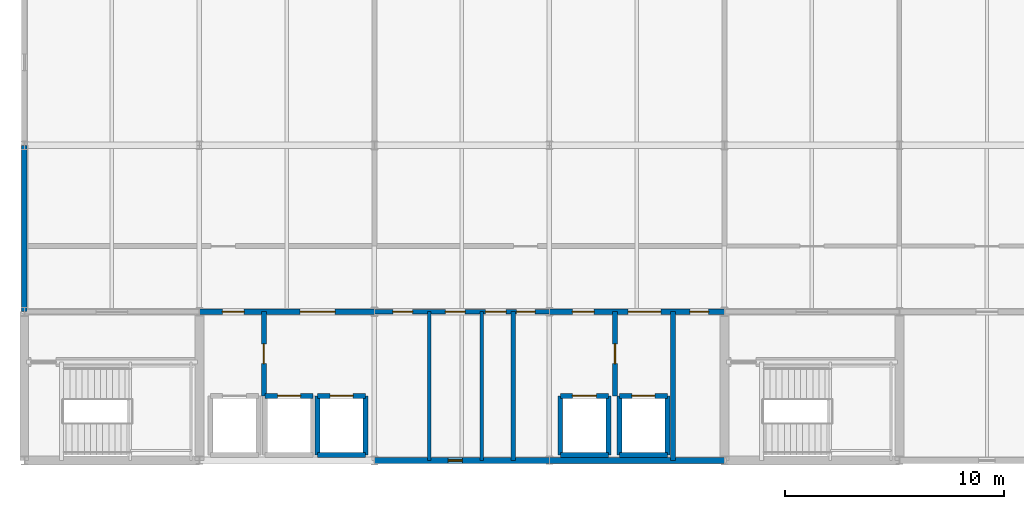
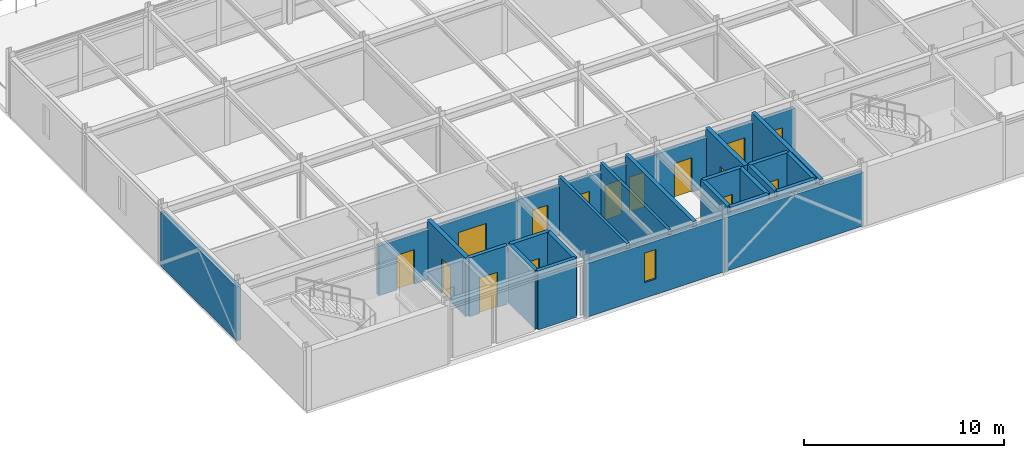
# One storey, part 9 of 12: 25 walls, 15 doors, 1 window, 16 openings.
"""IFC4 building model written with IfcOpenShell, lengths in metres."""

from ifc_helpers import new_model, si_unit, direction, frame, frame_2d, origin, place, context, subcontext, project, spatial, rectangle, extrude, material, layer, layer_set, type_object, element, fill, save


model = new_model("IFC4")

# Units and contexts
model_context = context("Model", 3, precision=1e-05, world=origin(), true_north=direction((0.0, 1.0)))
body_context = subcontext(model_context, "Body", "Model", "MODEL_VIEW")
ifc_project = project(units=[si_unit("LENGTHUNIT", "METRE"), si_unit("AREAUNIT", "SQUARE_METRE"), si_unit("VOLUMEUNIT", "CUBIC_METRE"), si_unit("PLANEANGLEUNIT", "RADIAN"), si_unit("MASSUNIT", "GRAM", prefix="KILO")], contexts=[model_context])

# Site, building, storey
site_placement = place(None, origin())
site = spatial("IfcSite", under=ifc_project, at=site_placement, CompositionType="ELEMENT")
building_placement = place(site_placement, origin())
building = spatial("IfcBuilding", under=site, at=building_placement, Name="Shalkamar Park Central Library", CompositionType="ELEMENT")
storey_placement = place(building_placement, frame((0.0, 0.0, 56.10009765625)))
storey = spatial("IfcBuildingStorey", under=building, at=storey_placement, Name="L14", CompositionType="ELEMENT", Elevation=56.10009765625)

# Wall, opening, window
ifc_material_1 = material(Name="Terracotta insulated masonry", Category="masonry")
ifc_layer_1 = layer(ifc_material_1, 0.260009765625)
ifc_layer_set_1 = layer_set([ifc_layer_1], Name="ArchiveInsulatedFacadeWall_260")
wall_type_1 = type_object("IfcWallType", Name="Archive Insulated Facade Wall 260", PredefinedType="SOLIDWALL", material=ifc_layer_set_1)
wall_1_placement = place(storey_placement, frame((181.006103515625, 248.39990234375, 0.0), z_axis=(0.0, 0.0, 1.0), x_axis=(1.0, 0.0, 0.0)))
wall_1 = element("IfcWall", 1, at=wall_1_placement, inside=storey, type_object=wall_type_1, Name="Exterior Facade Wall WL-EXT-L14-247", PredefinedType="SOLIDWALL", context=body_context, shape_type="SweptSolid", body=[
    extrude(rectangle(XDim=7.98779296875, YDim=0.260009765625, at=frame_2d((3.993896484375, 0.0))), origin(), (0.0, 0.0, 1.0), 3.267822265625),
])
opening_1_placement = place(wall_1_placement, frame((3.368896484375, 0.0, 0.949951171875)))
opening_1 = element("IfcOpeningElement", 2, at=opening_1_placement, cuts=wall_1, Name="Opening WN-19", PredefinedType="OPENING", context=body_context, shape_type="SweptSolid", body=[
    extrude(rectangle(XDim=0.64990234375, YDim=1.800048828125, at=frame_2d((0.324951171875, 0.89990234375))), frame((0.0, 0.14501953125, 0.0), z_axis=(0.0, -1.0, 0.0), x_axis=(1.0, 0.0, 0.0)), (0.0, 0.0, 1.0), 0.289794921875),
])
ifc_material_2 = material(Name="Thermally broken aluminium and triple low-e glass", Category="glass")
window_type = type_object("IfcWindowType", Name="Archive Slit Window 650x1800", PartitioningType="SINGLE_PANEL", PredefinedType="WINDOW", material=ifc_material_2)
window_placement = place(opening_1_placement, origin())
window = element("IfcWindow", 3, at=window_placement, inside=storey, type_object=window_type, Name="Facade Window WN-L14-182", OverallHeight=1.800048828125, OverallWidth=0.64990234375, PartitioningType="SINGLE_PANEL", PredefinedType="WINDOW", context=body_context, shape_type="SweptSolid", body=[
    extrude(rectangle(XDim=0.64990234375, YDim=1.800048828125, at=frame_2d((0.324951171875, 0.89990234375))), frame((0.0, 0.030029296875, 0.0), z_axis=(0.0, -1.0, 0.0), x_axis=(1.0, 0.0, 0.0)), (0.0, 0.0, 1.0), 0.06005859375),
])
fill(opening_1, window)

# Walls
wall_2_placement = place(storey_placement, frame((189.006103515625, 248.39990234375, 0.0), z_axis=(0.0, 0.0, 1.0), x_axis=(1.0, 0.0, 0.0)))
element("IfcWall", 4, at=wall_2_placement, inside=storey, type_object=wall_type_1, Name="Exterior Facade Wall WL-EXT-L14-248", PredefinedType="SOLIDWALL", context=body_context, shape_type="SweptSolid", body=[
    extrude(rectangle(XDim=7.98779296875, YDim=0.260009765625, at=frame_2d((3.993896484375, 0.0))), origin(), (0.0, 0.0, 1.0), 3.267822265625),
])
wall_3_placement = place(storey_placement, frame((165.0, 255.2060546875, 0.0), z_axis=(0.0, 0.0, 1.0), x_axis=(0.0, 1.0, 0.0)))
element("IfcWall", 5, at=wall_3_placement, inside=storey, type_object=wall_type_1, Name="Exterior Facade Wall WL-EXT-L14-251", PredefinedType="SOLIDWALL", context=body_context, shape_type="SweptSolid", body=[
    extrude(rectangle(XDim=7.587890625, YDim=0.260009765625, at=frame_2d((3.7939453125, 0.0))), origin(), (0.0, 0.0, 1.0), 3.307861328125),
])

# Wall, opening, door
ifc_material_3 = material(Name="Reinforced fire-compartment masonry wall", Category="masonry")
ifc_layer_2 = layer(ifc_material_3, 0.239990234375)
ifc_layer_set_2 = layer_set([ifc_layer_2], Name="CompartmentWall_240")
wall_type_2 = type_object("IfcWallType", Name="Compartment Wall 240", PredefinedType="PARTITIONING", material=ifc_layer_set_2)
wall_4_placement = place(storey_placement, frame((175.949951171875, 251.35009765625, 0.0), z_axis=(0.0, 0.0, 1.0), x_axis=(0.0, 1.0, 0.0)))
wall_4 = element("IfcWall", 6, at=wall_4_placement, inside=storey, type_object=wall_type_2, Name="Interior Partition WL-INT-L14-001", PredefinedType="PARTITIONING", context=body_context, shape_type="SweptSolid", body=[
    extrude(rectangle(XDim=3.849853515625, YDim=0.239990234375, at=frame_2d((1.9248046875, 0.0))), origin(), (0.0, 0.0, 1.0), 3.579833984375),
])
opening_2_placement = place(wall_4_placement, frame((1.47509765625, 0.0, 0.0)))
opening_2 = element("IfcOpeningElement", 7, at=opening_2_placement, cuts=wall_4, Name="Opening DR-L14-001", PredefinedType="OPENING", context=body_context, shape_type="SweptSolid", body=[
    extrude(rectangle(XDim=0.89990234375, YDim=2.10009765625, at=frame_2d((0.449951171875, 1.050048828125))), frame((0.0, 0.134765625, 0.0), z_axis=(0.0, -1.0, 0.0), x_axis=(1.0, 0.0, 0.0)), (0.0, 0.0, 1.0), 0.269775390625),
])
ifc_material_4 = material(Name="Steel S355", Category="steel")
door_type_1 = type_object("IfcDoorType", Name="Fire Door Single 900x2100", OperationType="NOTDEFINED", PredefinedType="DOOR", material=ifc_material_4)
door_1_placement = place(opening_2_placement, origin())
door_1 = element("IfcDoor", 8, at=door_1_placement, inside=storey, type_object=door_type_1, Name="Fire Lobby Interconnect Door", OperationType="SINGLE_SWING_LEFT", OverallHeight=2.10009765625, OverallWidth=0.89990234375, PredefinedType="DOOR", context=body_context, shape_type="SweptSolid", body=[
    extrude(rectangle(XDim=0.89990234375, YDim=2.10009765625, at=frame_2d((0.449951171875, 1.050048828125))), frame((0.0, 0.02490234375, 0.0), z_axis=(0.0, -1.0, 0.0), x_axis=(1.0, 0.0, 0.0)), (0.0, 0.0, 1.0), 0.050048828125),
])
fill(opening_2, door_1)

wall_5_placement = place(storey_placement, frame((192.0, 251.35009765625, 0.0), z_axis=(0.0, 0.0, 1.0), x_axis=(0.0, 1.0, 0.0)))
wall_5 = element("IfcWall", 9, at=wall_5_placement, inside=storey, type_object=wall_type_2, Name="Interior Partition WL-INT-L14-002", PredefinedType="PARTITIONING", context=body_context, shape_type="SweptSolid", body=[
    extrude(rectangle(XDim=3.849853515625, YDim=0.239990234375, at=frame_2d((1.9248046875, 0.0))), origin(), (0.0, 0.0, 1.0), 3.579833984375),
])
opening_3_placement = place(wall_5_placement, frame((1.47509765625, 0.0, 0.0)))
opening_3 = element("IfcOpeningElement", 10, at=opening_3_placement, cuts=wall_5, Name="Opening DR-L14-002", PredefinedType="OPENING", context=body_context, shape_type="SweptSolid", body=[
    extrude(rectangle(XDim=0.89990234375, YDim=2.10009765625, at=frame_2d((0.449951171875, 1.050048828125))), frame((0.0, 0.134765625, 0.0), z_axis=(0.0, -1.0, 0.0), x_axis=(1.0, 0.0, 0.0)), (0.0, 0.0, 1.0), 0.269775390625),
])
door_2_placement = place(opening_3_placement, frame((0.89990234375, 0.0, 0.0), z_axis=(0.0, 0.0, 1.0), x_axis=(-1.0, 0.0, 0.0)))
door_2 = element("IfcDoor", 11, at=door_2_placement, inside=storey, type_object=door_type_1, Name="Fire Lobby Interconnect Door", OperationType="SINGLE_SWING_LEFT", OverallHeight=2.10009765625, OverallWidth=0.89990234375, PredefinedType="DOOR", context=body_context, shape_type="SweptSolid", body=[
    extrude(rectangle(XDim=0.89990234375, YDim=2.10009765625, at=frame_2d((0.449951171875, 1.050048828125))), frame((0.0, 0.02490234375, 0.0), z_axis=(0.0, -1.0, 0.0), x_axis=(1.0, 0.0, 0.0)), (0.0, 0.0, 1.0), 0.050048828125),
])
fill(opening_3, door_2)

# Wall, openings, doors
wall_6_placement = place(storey_placement, frame((173.0, 255.199951171875, 0.0), z_axis=(0.0, 0.0, 1.0), x_axis=(1.0, 0.0, 0.0)))
wall_6 = element("IfcWall", 12, at=wall_6_placement, inside=storey, type_object=wall_type_2, Name="Interior Partition WL-INT-L14-007", PredefinedType="PARTITIONING", context=body_context, shape_type="SweptSolid", body=[
    extrude(rectangle(XDim=8.0, YDim=0.239990234375, at=frame_2d((4.0, 0.0))), origin(), (0.0, 0.0, 1.0), 3.02783203125),
])
opening_4_placement = place(wall_6_placement, frame((1.050048828125, 0.0, 0.0)))
opening_4 = element("IfcOpeningElement", 13, at=opening_4_placement, cuts=wall_6, Name="Opening DR-L14-003", PredefinedType="OPENING", context=body_context, shape_type="SweptSolid", body=[
    extrude(rectangle(XDim=1.0, YDim=2.10009765625, at=frame_2d((0.5, 1.050048828125))), frame((0.0, 0.134765625, 0.0), z_axis=(0.0, -1.0, 0.0), x_axis=(1.0, 0.0, 0.0)), (0.0, 0.0, 1.0), 0.269775390625),
])
opening_5_placement = place(wall_6_placement, frame((4.60009765625, 0.0, 0.0)))
opening_5 = element("IfcOpeningElement", 14, at=opening_5_placement, cuts=wall_6, Name="Opening DR-L14-004", PredefinedType="OPENING", context=body_context, shape_type="SweptSolid", body=[
    extrude(rectangle(XDim=1.60009765625, YDim=2.25, at=frame_2d((0.800048828125, 1.125))), frame((0.0, 0.134765625, 0.0), z_axis=(0.0, -1.0, 0.0), x_axis=(1.0, 0.0, 0.0)), (0.0, 0.0, 1.0), 0.269775390625),
])
door_type_2 = type_object("IfcDoorType", Name="Fire Door Single 1000x2100", OperationType="NOTDEFINED", PredefinedType="DOOR", material=ifc_material_4)
door_3_placement = place(opening_4_placement, origin())
door_3 = element("IfcDoor", 15, at=door_3_placement, inside=storey, type_object=door_type_2, Name="West Firefighting Lobby Door", OperationType="SINGLE_SWING_LEFT", OverallHeight=2.10009765625, OverallWidth=1.0, PredefinedType="DOOR", context=body_context, shape_type="SweptSolid", body=[
    extrude(rectangle(XDim=1.0, YDim=2.10009765625, at=frame_2d((0.5, 1.050048828125))), frame((0.0, 0.02490234375, 0.0), z_axis=(0.0, -1.0, 0.0), x_axis=(1.0, 0.0, 0.0)), (0.0, 0.0, 1.0), 0.050048828125),
])
fill(opening_4, door_3)
door_type_3 = type_object("IfcDoorType", Name="Interior Door Double 1600x2250", OperationType="DOUBLE_DOOR_SINGLE_SWING", PredefinedType="DOOR", material=ifc_material_4)
door_4_placement = place(opening_5_placement, frame((1.60009765625, 0.0, 0.0), z_axis=(0.0, 0.0, 1.0), x_axis=(-1.0, 0.0, 0.0)))
door_4 = element("IfcDoor", 16, at=door_4_placement, inside=storey, type_object=door_type_3, Name="West Lift Lobby Entrance", OperationType="DOUBLE_DOOR_SINGLE_SWING", OverallHeight=2.25, OverallWidth=1.60009765625, PredefinedType="DOOR", context=body_context, shape_type="SweptSolid", body=[
    extrude(rectangle(XDim=1.60009765625, YDim=2.25, at=frame_2d((0.800048828125, 1.125))), frame((0.0, 0.02490234375, 0.0), z_axis=(0.0, -1.0, 0.0), x_axis=(1.0, 0.0, 0.0)), (0.0, 0.0, 1.0), 0.050048828125),
])
fill(opening_5, door_4)

wall_7_placement = place(storey_placement, frame((189.0, 255.199951171875, 0.0), z_axis=(0.0, 0.0, 1.0), x_axis=(1.0, 0.0, 0.0)))
wall_7 = element("IfcWall", 17, at=wall_7_placement, inside=storey, type_object=wall_type_2, Name="Interior Partition WL-INT-L14-009", PredefinedType="PARTITIONING", context=body_context, shape_type="SweptSolid", body=[
    extrude(rectangle(XDim=8.0, YDim=0.239990234375, at=frame_2d((4.0, 0.0))), origin(), (0.0, 0.0, 1.0), 3.02783203125),
])
opening_6_placement = place(wall_7_placement, frame((1.050048828125, 0.0, 0.0)))
opening_6 = element("IfcOpeningElement", 18, at=opening_6_placement, cuts=wall_7, Name="Opening DR-L14-009", PredefinedType="OPENING", context=body_context, shape_type="SweptSolid", body=[
    extrude(rectangle(XDim=1.0, YDim=2.10009765625, at=frame_2d((0.5, 1.050048828125))), frame((0.0, 0.134765625, 0.0), z_axis=(0.0, -1.0, 0.0), x_axis=(1.0, 0.0, 0.0)), (0.0, 0.0, 1.0), 0.269775390625),
])
opening_7_placement = place(wall_7_placement, frame((3.60009765625, 0.0, 0.0)))
opening_7 = element("IfcOpeningElement", 19, at=opening_7_placement, cuts=wall_7, Name="Opening DR-L14-010", PredefinedType="OPENING", context=body_context, shape_type="SweptSolid", body=[
    extrude(rectangle(XDim=1.5, YDim=2.25, at=frame_2d((0.75, 1.125))), frame((0.0, 0.134765625, 0.0), z_axis=(0.0, -1.0, 0.0), x_axis=(1.0, 0.0, 0.0)), (0.0, 0.0, 1.0), 0.269775390625),
])
opening_8_placement = place(wall_7_placement, frame((6.425048828125, 0.0, 0.0)))
opening_8 = element("IfcOpeningElement", 20, at=opening_8_placement, cuts=wall_7, Name="Opening DR-L14-011", PredefinedType="OPENING", context=body_context, shape_type="SweptSolid", body=[
    extrude(rectangle(XDim=0.85009765625, YDim=2.10009765625, at=frame_2d((0.425048828125, 1.050048828125))), frame((0.0, 0.134765625, 0.0), z_axis=(0.0, -1.0, 0.0), x_axis=(1.0, 0.0, 0.0)), (0.0, 0.0, 1.0), 0.269775390625),
])
door_type_4 = type_object("IfcDoorType", Name="Fire Door Riser 850x2100", OperationType="NOTDEFINED", PredefinedType="DOOR", material=ifc_material_4)
door_5_placement = place(opening_8_placement, frame((0.85009765625, 0.0, 0.0), z_axis=(0.0, 0.0, 1.0), x_axis=(-1.0, 0.0, 0.0)))
door_5 = element("IfcDoor", 21, at=door_5_placement, inside=storey, type_object=door_type_4, Name="Mechanical Riser Access Door", OperationType="SINGLE_SWING_LEFT", OverallHeight=2.10009765625, OverallWidth=0.85009765625, PredefinedType="DOOR", context=body_context, shape_type="SweptSolid", body=[
    extrude(rectangle(XDim=0.85009765625, YDim=2.10009765625, at=frame_2d((0.425048828125, 1.050048828125))), frame((0.0, 0.02490234375, 0.0), z_axis=(0.0, -1.0, 0.0), x_axis=(1.0, 0.0, 0.0)), (0.0, 0.0, 1.0), 0.050048828125),
])
fill(opening_8, door_5)
door_6_placement = place(opening_6_placement, origin())
door_6 = element("IfcDoor", 22, at=door_6_placement, inside=storey, type_object=door_type_2, Name="East Firefighting Lobby Door", OperationType="SINGLE_SWING_LEFT", OverallHeight=2.10009765625, OverallWidth=1.0, PredefinedType="DOOR", context=body_context, shape_type="SweptSolid", body=[
    extrude(rectangle(XDim=1.0, YDim=2.10009765625, at=frame_2d((0.5, 1.050048828125))), frame((0.0, 0.02490234375, 0.0), z_axis=(0.0, -1.0, 0.0), x_axis=(1.0, 0.0, 0.0)), (0.0, 0.0, 1.0), 0.050048828125),
])
fill(opening_6, door_6)
door_type_5 = type_object("IfcDoorType", Name="Interior Door Double 1500x2250", OperationType="DOUBLE_DOOR_SINGLE_SWING", PredefinedType="DOOR", material=ifc_material_4)
door_7_placement = place(opening_7_placement, origin())
door_7 = element("IfcDoor", 23, at=door_7_placement, inside=storey, type_object=door_type_5, Name="East Lift Lobby Entrance", OperationType="DOUBLE_DOOR_SINGLE_SWING", OverallHeight=2.25, OverallWidth=1.5, PredefinedType="DOOR", context=body_context, shape_type="SweptSolid", body=[
    extrude(rectangle(XDim=1.5, YDim=2.25, at=frame_2d((0.75, 1.125))), frame((0.0, 0.02490234375, 0.0), z_axis=(0.0, -1.0, 0.0), x_axis=(1.0, 0.0, 0.0)), (0.0, 0.0, 1.0), 0.050048828125),
])
fill(opening_7, door_7)

ifc_material_5 = material(Name="Fire-rated corridor partition wall", Category="masonry")
ifc_layer_3 = layer(ifc_material_5, 0.199951171875)
ifc_layer_set_3 = layer_set([ifc_layer_3], Name="CorridorFireWall_200")
wall_type_3 = type_object("IfcWallType", Name="Corridor Fire Wall 200", PredefinedType="PARTITIONING", material=ifc_layer_set_3)
wall_8_placement = place(storey_placement, frame((181.0, 255.199951171875, 0.0), z_axis=(0.0, 0.0, 1.0), x_axis=(1.0, 0.0, 0.0)))
wall_8 = element("IfcWall", 24, at=wall_8_placement, inside=storey, type_object=wall_type_3, Name="Interior Partition WL-INT-L14-008", PredefinedType="PARTITIONING", context=body_context, shape_type="SweptSolid", body=[
    extrude(rectangle(XDim=8.0, YDim=0.199951171875, at=frame_2d((4.0, 0.0))), origin(), (0.0, 0.0, 1.0), 3.02783203125),
])
opening_9_placement = place(wall_8_placement, frame((0.85009765625, 0.0, 0.0)))
opening_9 = element("IfcOpeningElement", 25, at=opening_9_placement, cuts=wall_8, Name="Opening DR-L14-005", PredefinedType="OPENING", context=body_context, shape_type="SweptSolid", body=[
    extrude(rectangle(XDim=0.89990234375, YDim=2.10009765625, at=frame_2d((0.449951171875, 1.050048828125))), frame((0.0, 0.11474609375, 0.0), z_axis=(0.0, -1.0, 0.0), x_axis=(1.0, 0.0, 0.0)), (0.0, 0.0, 1.0), 0.229736328125),
])
opening_10_placement = place(wall_8_placement, frame((3.25, 0.0, 0.0)))
opening_10 = element("IfcOpeningElement", 26, at=opening_10_placement, cuts=wall_8, Name="Opening DR-L14-006", PredefinedType="OPENING", context=body_context, shape_type="SweptSolid", body=[
    extrude(rectangle(XDim=0.89990234375, YDim=2.10009765625, at=frame_2d((0.449951171875, 1.050048828125))), frame((0.0, 0.11474609375, 0.0), z_axis=(0.0, -1.0, 0.0), x_axis=(1.0, 0.0, 0.0)), (0.0, 0.0, 1.0), 0.229736328125),
])
opening_11_placement = place(wall_8_placement, frame((5.074951171875, 0.0, 0.0)))
opening_11 = element("IfcOpeningElement", 27, at=opening_11_placement, cuts=wall_8, Name="Opening DR-L14-007", PredefinedType="OPENING", context=body_context, shape_type="SweptSolid", body=[
    extrude(rectangle(XDim=0.949951171875, YDim=2.10009765625, at=frame_2d((0.47509765625, 1.050048828125))), frame((0.0, 0.11474609375, 0.0), z_axis=(0.0, -1.0, 0.0), x_axis=(1.0, 0.0, 0.0)), (0.0, 0.0, 1.0), 0.229736328125),
])
opening_12_placement = place(wall_8_placement, frame((6.5, 0.0, 0.0)))
opening_12 = element("IfcOpeningElement", 28, at=opening_12_placement, cuts=wall_8, Name="Opening DR-L14-008", PredefinedType="OPENING", context=body_context, shape_type="SweptSolid", body=[
    extrude(rectangle(XDim=0.85009765625, YDim=2.10009765625, at=frame_2d((0.425048828125, 1.050048828125))), frame((0.0, 0.11474609375, 0.0), z_axis=(0.0, -1.0, 0.0), x_axis=(1.0, 0.0, 0.0)), (0.0, 0.0, 1.0), 0.229736328125),
])
door_8_placement = place(opening_12_placement, frame((0.85009765625, 0.0, 0.0), z_axis=(0.0, 0.0, 1.0), x_axis=(-1.0, 0.0, 0.0)))
door_8 = element("IfcDoor", 29, at=door_8_placement, inside=storey, type_object=door_type_4, Name="Electrical Riser Access Door", OperationType="SINGLE_SWING_LEFT", OverallHeight=2.10009765625, OverallWidth=0.85009765625, PredefinedType="DOOR", context=body_context, shape_type="SweptSolid", body=[
    extrude(rectangle(XDim=0.85009765625, YDim=2.10009765625, at=frame_2d((0.425048828125, 1.050048828125))), frame((0.0, 0.02490234375, 0.0), z_axis=(0.0, -1.0, 0.0), x_axis=(1.0, 0.0, 0.0)), (0.0, 0.0, 1.0), 0.050048828125),
])
fill(opening_12, door_8)
door_type_6 = type_object("IfcDoorType", Name="Interior Door Single 900x2100", OperationType="NOTDEFINED", PredefinedType="DOOR", material=ifc_material_4)
door_9_placement = place(opening_9_placement, frame((0.89990234375, 0.0, 0.0), z_axis=(0.0, 0.0, 1.0), x_axis=(-1.0, 0.0, 0.0)))
door_9 = element("IfcDoor", 30, at=door_9_placement, inside=storey, type_object=door_type_6, Name="Male WC Door", OperationType="SINGLE_SWING_RIGHT", OverallHeight=2.10009765625, OverallWidth=0.89990234375, PredefinedType="DOOR", context=body_context, shape_type="SweptSolid", body=[
    extrude(rectangle(XDim=0.89990234375, YDim=2.10009765625, at=frame_2d((0.449951171875, 1.050048828125))), frame((0.0, 0.02490234375, 0.0), z_axis=(0.0, -1.0, 0.0), x_axis=(1.0, 0.0, 0.0)), (0.0, 0.0, 1.0), 0.050048828125),
])
fill(opening_9, door_9)
door_10_placement = place(opening_10_placement, frame((0.89990234375, 0.0, 0.0), z_axis=(0.0, 0.0, 1.0), x_axis=(-1.0, 0.0, 0.0)))
door_10 = element("IfcDoor", 31, at=door_10_placement, inside=storey, type_object=door_type_6, Name="Female WC Door", OperationType="SINGLE_SWING_RIGHT", OverallHeight=2.10009765625, OverallWidth=0.89990234375, PredefinedType="DOOR", context=body_context, shape_type="SweptSolid", body=[
    extrude(rectangle(XDim=0.89990234375, YDim=2.10009765625, at=frame_2d((0.449951171875, 1.050048828125))), frame((0.0, 0.02490234375, 0.0), z_axis=(0.0, -1.0, 0.0), x_axis=(1.0, 0.0, 0.0)), (0.0, 0.0, 1.0), 0.050048828125),
])
fill(opening_10, door_10)
door_type_7 = type_object("IfcDoorType", Name="Interior Door Single 950x2100", OperationType="NOTDEFINED", PredefinedType="DOOR", material=ifc_material_4)
door_11_placement = place(opening_11_placement, frame((0.949951171875, 0.0, 0.0), z_axis=(0.0, 0.0, 1.0), x_axis=(-1.0, 0.0, 0.0)))
door_11 = element("IfcDoor", 32, at=door_11_placement, inside=storey, type_object=door_type_7, Name="Universal Accessible WC Door", OperationType="SINGLE_SWING_LEFT", OverallHeight=2.10009765625, OverallWidth=0.949951171875, PredefinedType="DOOR", context=body_context, shape_type="SweptSolid", body=[
    extrude(rectangle(XDim=0.949951171875, YDim=2.10009765625, at=frame_2d((0.47509765625, 1.050048828125))), frame((0.0, 0.02490234375, 0.0), z_axis=(0.0, -1.0, 0.0), x_axis=(1.0, 0.0, 0.0)), (0.0, 0.0, 1.0), 0.050048828125),
])
fill(opening_11, door_11)

# Wall, opening, door
ifc_material_6 = material(Name="Concrete C40/50", Category="concrete")
ifc_layer_4 = layer(ifc_material_6, 0.219970703125)
ifc_layer_set_4 = layer_set([ifc_layer_4], Name="Concrete C40/50")
wall_type_4 = type_object("IfcWallType", Name="Lift Hoistway Shear Wall 220", PredefinedType="SHEAR", material=ifc_layer_set_4)
wall_9_placement = place(storey_placement, frame((176.0, 251.35009765625, 0.0), z_axis=(0.0, 0.0, 1.0), x_axis=(1.0, 0.0, 0.0)))
wall_9 = element("IfcWall", 33, at=wall_9_placement, inside=storey, type_object=wall_type_4, Name="Lift LT-01 Hoistway Front Wall (L14)", PredefinedType="SHEAR", context=body_context, shape_type="SweptSolid", body=[
    extrude(rectangle(XDim=2.199951171875, YDim=0.219970703125, at=frame_2d((1.10009765625, 0.0))), origin(), (0.0, 0.0, 1.0), 3.579833984375),
])
opening_13_placement = place(wall_9_placement, frame((0.574951171875, 0.0, 0.0)))
opening_13 = element("IfcOpeningElement", 34, at=opening_13_placement, cuts=wall_9, Name="Opening LD-LT-01-L14", PredefinedType="OPENING", context=body_context, shape_type="SweptSolid", body=[
    extrude(rectangle(XDim=1.050048828125, YDim=2.14990234375, at=frame_2d((0.52490234375, 1.074951171875))), frame((0.0, 0.125, 0.0), z_axis=(0.0, -1.0, 0.0), x_axis=(1.0, 0.0, 0.0)), (0.0, 0.0, 1.0), 0.249755859375),
])
door_type_8 = type_object("IfcDoorType", Name="Passenger Lift Landing Door 1050x2150", OperationType="DOUBLE_DOOR_SLIDING", PredefinedType="USERDEFINED", material=ifc_material_4)
door_12_placement = place(opening_13_placement, origin())
door_12 = element("IfcDoor", 35, at=door_12_placement, inside=storey, type_object=door_type_8, Name="Lift LT-01 Sliding Landing Door (L14)", ObjectType="SLIDING LANDING DOOR", OperationType="DOUBLE_DOOR_SLIDING", OverallHeight=2.14990234375, OverallWidth=1.050048828125, PredefinedType="USERDEFINED", context=body_context, shape_type="SweptSolid", body=[
    extrude(rectangle(XDim=1.050048828125, YDim=2.14990234375, at=frame_2d((0.52490234375, 1.074951171875))), frame((0.0, 0.02490234375, 0.0), z_axis=(0.0, -1.0, 0.0), x_axis=(1.0, 0.0, 0.0)), (0.0, 0.0, 1.0), 0.050048828125),
])
fill(opening_13, door_12)

# Walls
wall_10_placement = place(storey_placement, frame((178.39990234375, 248.64990234375, 0.0), z_axis=(0.0, 0.0, 1.0), x_axis=(1.0, 0.0, 0.0)))
element("IfcWall", 36, at=wall_10_placement, inside=storey, type_object=wall_type_4, Name="Lift LT-02 Hoistway South Wall (L14)", PredefinedType="SHEAR", context=body_context, shape_type="SweptSolid", body=[
    extrude(rectangle(XDim=2.2001953125, YDim=0.219970703125, at=frame_2d((1.10009765625, 0.0))), origin(), (0.0, 0.0, 1.0), 3.579833984375),
])
for number, where, z_axis, x_axis, name in (
    (37, (178.39990234375, 248.64990234375, 0.0), (0.0, 0.0, 1.0), (0.0, 1.0, 0.0), "Lift LT-02 Hoistway West Wall (L14)"),
    (38, (180.60009765625, 248.64990234375, 0.0), (0.0, 0.0, 1.0), (0.0, 1.0, 0.0), "Lift LT-02 Hoistway East Wall (L14)"),
):
    element("IfcWall", number, at=place(storey_placement, frame(where, z_axis=z_axis, x_axis=x_axis)), inside=storey, type_object=wall_type_4, Name=name, PredefinedType="SHEAR", context=body_context, shape_type="SweptSolid", body=[
        extrude(rectangle(XDim=2.7001953125, YDim=0.219970703125, at=frame_2d((1.35009765625, 0.0))), origin(), (0.0, 0.0, 1.0), 3.579833984375),
    ])

# Wall, opening, door
wall_11_placement = place(storey_placement, frame((178.39990234375, 251.35009765625, 0.0), z_axis=(0.0, 0.0, 1.0), x_axis=(1.0, 0.0, 0.0)))
wall_11 = element("IfcWall", 39, at=wall_11_placement, inside=storey, type_object=wall_type_4, Name="Lift LT-02 Hoistway Front Wall (L14)", PredefinedType="SHEAR", context=body_context, shape_type="SweptSolid", body=[
    extrude(rectangle(XDim=2.2001953125, YDim=0.219970703125, at=frame_2d((1.10009765625, 0.0))), origin(), (0.0, 0.0, 1.0), 3.579833984375),
])
opening_14_placement = place(wall_11_placement, frame((0.574951171875, 0.0, 0.0)))
opening_14 = element("IfcOpeningElement", 40, at=opening_14_placement, cuts=wall_11, Name="Opening LD-LT-02-L14", PredefinedType="OPENING", context=body_context, shape_type="SweptSolid", body=[
    extrude(rectangle(XDim=1.050048828125, YDim=2.14990234375, at=frame_2d((0.52490234375, 1.074951171875))), frame((0.0, 0.125, 0.0), z_axis=(0.0, -1.0, 0.0), x_axis=(1.0, 0.0, 0.0)), (0.0, 0.0, 1.0), 0.249755859375),
])
door_13_placement = place(opening_14_placement, origin())
door_13 = element("IfcDoor", 41, at=door_13_placement, inside=storey, type_object=door_type_8, Name="Lift LT-02 Sliding Landing Door (L14)", ObjectType="SLIDING LANDING DOOR", OperationType="DOUBLE_DOOR_SLIDING", OverallHeight=2.14990234375, OverallWidth=1.050048828125, PredefinedType="USERDEFINED", context=body_context, shape_type="SweptSolid", body=[
    extrude(rectangle(XDim=1.050048828125, YDim=2.14990234375, at=frame_2d((0.52490234375, 1.074951171875))), frame((0.0, 0.02490234375, 0.0), z_axis=(0.0, -1.0, 0.0), x_axis=(1.0, 0.0, 0.0)), (0.0, 0.0, 1.0), 0.050048828125),
])
fill(opening_14, door_13)

# Walls
wall_12_placement = place(storey_placement, frame((189.5, 248.64990234375, 0.0), z_axis=(0.0, 0.0, 1.0), x_axis=(1.0, 0.0, 0.0)))
element("IfcWall", 42, at=wall_12_placement, inside=storey, type_object=wall_type_4, Name="Lift FFL-02 Hoistway South Wall (L14)", PredefinedType="SHEAR", context=body_context, shape_type="SweptSolid", body=[
    extrude(rectangle(XDim=2.199951171875, YDim=0.219970703125, at=frame_2d((1.10009765625, 0.0))), origin(), (0.0, 0.0, 1.0), 3.579833984375),
])
for number, where, z_axis, x_axis, name in (
    (43, (189.5, 248.64990234375, 0.0), (0.0, 0.0, 1.0), (0.0, 1.0, 0.0), "Lift FFL-02 Hoistway West Wall (L14)"),
    (44, (191.699951171875, 248.64990234375, 0.0), (0.0, 0.0, 1.0), (0.0, 1.0, 0.0), "Lift FFL-02 Hoistway East Wall (L14)"),
):
    element("IfcWall", number, at=place(storey_placement, frame(where, z_axis=z_axis, x_axis=x_axis)), inside=storey, type_object=wall_type_4, Name=name, PredefinedType="SHEAR", context=body_context, shape_type="SweptSolid", body=[
        extrude(rectangle(XDim=2.7001953125, YDim=0.219970703125, at=frame_2d((1.35009765625, 0.0))), origin(), (0.0, 0.0, 1.0), 3.579833984375),
    ])

# Wall, opening, door
wall_13_placement = place(storey_placement, frame((189.5, 251.35009765625, 0.0), z_axis=(0.0, 0.0, 1.0), x_axis=(1.0, 0.0, 0.0)))
wall_13 = element("IfcWall", 45, at=wall_13_placement, inside=storey, type_object=wall_type_4, Name="Lift FFL-02 Hoistway Front Wall (L14)", PredefinedType="SHEAR", context=body_context, shape_type="SweptSolid", body=[
    extrude(rectangle(XDim=2.199951171875, YDim=0.219970703125, at=frame_2d((1.10009765625, 0.0))), origin(), (0.0, 0.0, 1.0), 3.579833984375),
])
opening_15_placement = place(wall_13_placement, frame((0.550048828125, 0.0, 0.0)))
opening_15 = element("IfcOpeningElement", 46, at=opening_15_placement, cuts=wall_13, Name="Opening LD-FFL-02-L14", PredefinedType="OPENING", context=body_context, shape_type="SweptSolid", body=[
    extrude(rectangle(XDim=1.10009765625, YDim=2.14990234375, at=frame_2d((0.550048828125, 1.074951171875))), frame((0.0, 0.125, 0.0), z_axis=(0.0, -1.0, 0.0), x_axis=(1.0, 0.0, 0.0)), (0.0, 0.0, 1.0), 0.249755859375),
])
door_type_9 = type_object("IfcDoorType", Name="Fire Lift Landing Door 1100x2150", OperationType="DOUBLE_DOOR_SLIDING", PredefinedType="USERDEFINED", material=ifc_material_4)
door_14_placement = place(opening_15_placement, origin())
door_14 = element("IfcDoor", 47, at=door_14_placement, inside=storey, type_object=door_type_9, Name="Lift FFL-02 Sliding Landing Door (L14)", ObjectType="SLIDING LANDING DOOR", OperationType="DOUBLE_DOOR_SLIDING", OverallHeight=2.14990234375, OverallWidth=1.10009765625, PredefinedType="USERDEFINED", context=body_context, shape_type="SweptSolid", body=[
    extrude(rectangle(XDim=1.10009765625, YDim=2.14990234375, at=frame_2d((0.550048828125, 1.074951171875))), frame((0.0, 0.02490234375, 0.0), z_axis=(0.0, -1.0, 0.0), x_axis=(1.0, 0.0, 0.0)), (0.0, 0.0, 1.0), 0.050048828125),
])
fill(opening_15, door_14)

# Walls
wall_14_placement = place(storey_placement, frame((192.199951171875, 248.64990234375, 0.0), z_axis=(0.0, 0.0, 1.0), x_axis=(1.0, 0.0, 0.0)))
element("IfcWall", 48, at=wall_14_placement, inside=storey, type_object=wall_type_4, Name="Lift LT-03 Hoistway South Wall (L14)", PredefinedType="SHEAR", context=body_context, shape_type="SweptSolid", body=[
    extrude(rectangle(XDim=2.199951171875, YDim=0.219970703125, at=frame_2d((1.10009765625, 0.0))), origin(), (0.0, 0.0, 1.0), 3.579833984375),
])
for number, where, z_axis, x_axis, name in (
    (49, (192.199951171875, 248.64990234375, 0.0), (0.0, 0.0, 1.0), (0.0, 1.0, 0.0), "Lift LT-03 Hoistway West Wall (L14)"),
    (50, (194.39990234375, 248.64990234375, 0.0), (0.0, 0.0, 1.0), (0.0, 1.0, 0.0), "Lift LT-03 Hoistway East Wall (L14)"),
):
    element("IfcWall", number, at=place(storey_placement, frame(where, z_axis=z_axis, x_axis=x_axis)), inside=storey, type_object=wall_type_4, Name=name, PredefinedType="SHEAR", context=body_context, shape_type="SweptSolid", body=[
        extrude(rectangle(XDim=2.7001953125, YDim=0.219970703125, at=frame_2d((1.35009765625, 0.0))), origin(), (0.0, 0.0, 1.0), 3.579833984375),
    ])

# Wall, opening, door
wall_15_placement = place(storey_placement, frame((192.199951171875, 251.35009765625, 0.0), z_axis=(0.0, 0.0, 1.0), x_axis=(1.0, 0.0, 0.0)))
wall_15 = element("IfcWall", 51, at=wall_15_placement, inside=storey, type_object=wall_type_4, Name="Lift LT-03 Hoistway Front Wall (L14)", PredefinedType="SHEAR", context=body_context, shape_type="SweptSolid", body=[
    extrude(rectangle(XDim=2.199951171875, YDim=0.219970703125, at=frame_2d((1.10009765625, 0.0))), origin(), (0.0, 0.0, 1.0), 3.579833984375),
])
opening_16_placement = place(wall_15_placement, frame((0.574951171875, 0.0, 0.0)))
opening_16 = element("IfcOpeningElement", 52, at=opening_16_placement, cuts=wall_15, Name="Opening LD-LT-03-L14", PredefinedType="OPENING", context=body_context, shape_type="SweptSolid", body=[
    extrude(rectangle(XDim=1.050048828125, YDim=2.14990234375, at=frame_2d((0.52490234375, 1.074951171875))), frame((0.0, 0.125, 0.0), z_axis=(0.0, -1.0, 0.0), x_axis=(1.0, 0.0, 0.0)), (0.0, 0.0, 1.0), 0.249755859375),
])
door_15_placement = place(opening_16_placement, origin())
door_15 = element("IfcDoor", 53, at=door_15_placement, inside=storey, type_object=door_type_8, Name="Lift LT-03 Sliding Landing Door (L14)", ObjectType="SLIDING LANDING DOOR", OperationType="DOUBLE_DOOR_SLIDING", OverallHeight=2.14990234375, OverallWidth=1.050048828125, PredefinedType="USERDEFINED", context=body_context, shape_type="SweptSolid", body=[
    extrude(rectangle(XDim=1.050048828125, YDim=2.14990234375, at=frame_2d((0.52490234375, 1.074951171875))), frame((0.0, 0.02490234375, 0.0), z_axis=(0.0, -1.0, 0.0), x_axis=(1.0, 0.0, 0.0)), (0.0, 0.0, 1.0), 0.050048828125),
])
fill(opening_16, door_15)

# Walls
ifc_material_7 = material(Name="Moisture-resistant sanitary partition", Category="masonry")
ifc_layer_5 = layer(ifc_material_7, 0.159912109375)
ifc_layer_set_5 = layer_set([ifc_layer_5], Name="PlumbingChaseWall_160")
wall_type_5 = type_object("IfcWallType", Name="Plumbing Chase Wall 160", PredefinedType="PARTITIONING", material=ifc_layer_set_5)
for number, where, z_axis, x_axis, name in (
    (54, (183.5, 248.39990234375, 0.0), (0.0, 0.0, 1.0), (0.0, 1.0, 0.0), "Interior Partition WL-INT-L14-004"),
    (55, (185.89990234375, 248.39990234375, 0.0), (0.0, 0.0, 1.0), (0.0, 1.0, 0.0), "Interior Partition WL-INT-L14-005"),
):
    element("IfcWall", number, at=place(storey_placement, frame(where, z_axis=z_axis, x_axis=x_axis)), inside=storey, type_object=wall_type_5, Name=name, PredefinedType="PARTITIONING", context=body_context, shape_type="SweptSolid", body=[
        extrude(rectangle(XDim=6.800048828125, YDim=0.159912109375, at=frame_2d((3.39990234375, 0.0))), origin(), (0.0, 0.0, 1.0), 3.579833984375),
    ])
ifc_material_8 = material(Name="Fire-rated shaft enclosure wall", Category="masonry")
ifc_layer_6 = layer(ifc_material_8, 0.219970703125)
ifc_layer_set_6 = layer_set([ifc_layer_6], Name="ShaftWall_220")
wall_type_6 = type_object("IfcWallType", Name="Shaft Wall 220", PredefinedType="PARTITIONING", material=ifc_layer_set_6)
for number, where, z_axis, x_axis, name in (
    (56, (194.64990234375, 248.39990234375, 0.0), (0.0, 0.0, 1.0), (0.0, 1.0, 0.0), "Interior Partition WL-INT-L14-003"),
    (57, (187.35009765625, 248.39990234375, 0.0), (0.0, 0.0, 1.0), (0.0, 1.0, 0.0), "Interior Partition WL-INT-L14-006"),
):
    element("IfcWall", number, at=place(storey_placement, frame(where, z_axis=z_axis, x_axis=x_axis)), inside=storey, type_object=wall_type_6, Name=name, PredefinedType="PARTITIONING", context=body_context, shape_type="SweptSolid", body=[
        extrude(rectangle(XDim=6.800048828125, YDim=0.219970703125, at=frame_2d((3.39990234375, 0.0))), origin(), (0.0, 0.0, 1.0), 3.579833984375),
    ])

save(model, "model.ifc")
